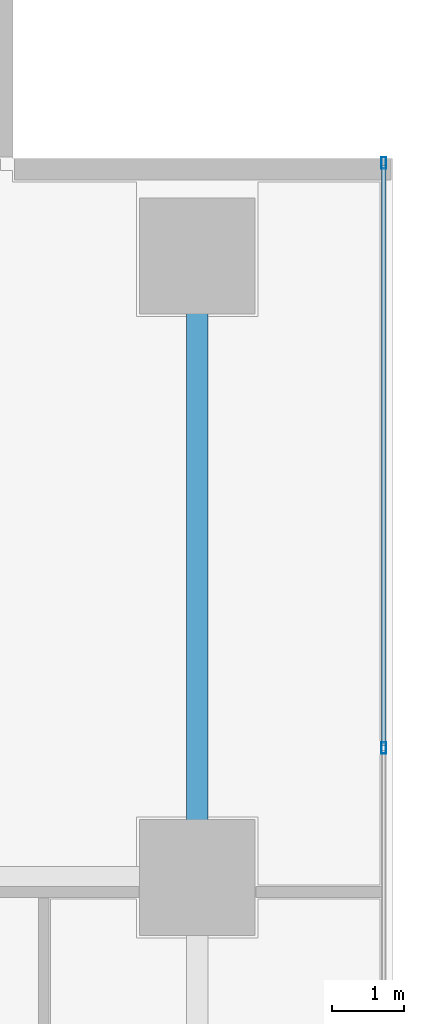
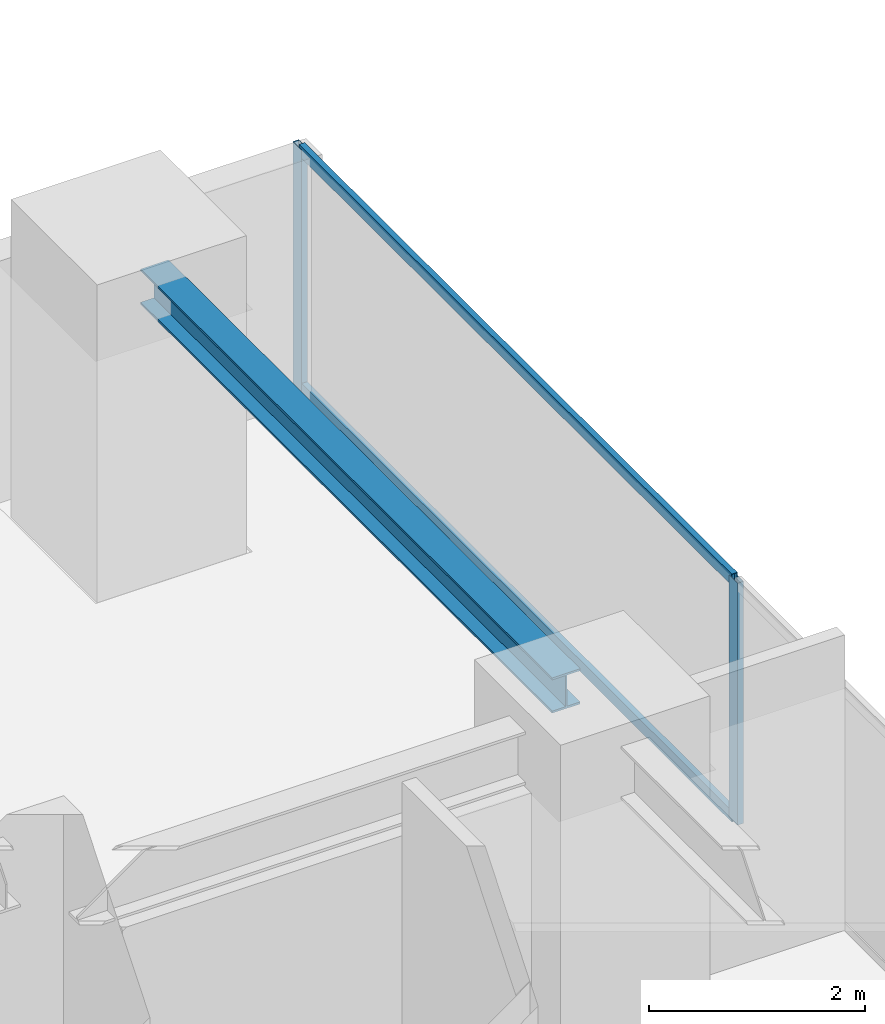
# One storey, part 24 of 36: 4 members, 1 beam, 1 element without a shape of its own.
"""IFC4 building model written with IfcOpenShell, lengths in metres."""

import ifcopenshell
import ifcopenshell.guid

model = None  # the IFC model being written
_history = None  # IfcOwnerHistory: only IFC2X3 demands one
_inside = {}  # id of a spatial element -> (the spatial element, [elements in it])
_under = {}  # id of a project, library or spatial element -> (it, [spatial elements below it])
_declared = {}  # id of a project -> (the project, [libraries it declares])
_typed = {}  # id of a type object -> (the type object, [elements of that type])
_made_of = {}  # id of a material, layer set ... -> (it, [elements and type objects made of it])


def new_model(schema):
    """Start an empty IFC model of exactly this schema.

    Asked for "IFC4X3", IfcOpenShell would pick the latest addendum, in which some entities
    have other attributes; the version numbers below select the first issue.
    IFC2X3 requires an IfcOwnerHistory on every rooted entity: one is made here for all.
    """
    global model, _history
    if schema == "IFC4X3":
        model = ifcopenshell.file(schema_version=(4, 3, 0, 0))
    else:
        model = ifcopenshell.file(schema=schema)
    _inside.clear()
    _under.clear()
    _declared.clear()
    _typed.clear()
    _made_of.clear()
    _history = None
    if model.schema == "IFC2X3":
        org = make("IfcOrganization", Name="unknown")
        user = make(
            "IfcPersonAndOrganization",
            ThePerson=make("IfcPerson", FamilyName="unknown"),
            TheOrganization=org,
        )
        app = make(
            "IfcApplication",
            ApplicationDeveloper=org,
            Version="unknown",
            ApplicationFullName="unknown",
            ApplicationIdentifier="unknown",
        )
        _history = make(
            "IfcOwnerHistory",
            OwningUser=user,
            OwningApplication=app,
            ChangeAction="ADDED",
            CreationDate=0,
        )
    return model


def make(cls, **values):
    """One entity of the class cls with the attributes given. An attribute that is None is left unset."""
    return model.create_entity(
        cls, **{name: value for name, value in values.items() if value is not None}
    )


def rooted(cls, **values):
    """An entity with a GlobalId (a new one), such as an element, a storey or a relation."""
    return make(cls, GlobalId=ifcopenshell.guid.new(), OwnerHistory=_history, **values)


def si_unit(unit_type, name, prefix=None):
    """IfcSIUnit, for example si_unit("LENGTHUNIT", "METRE", prefix="MILLI")."""
    return make("IfcSIUnit", UnitType=unit_type, Prefix=prefix, Name=name)


def assignment(units):
    """IfcUnitAssignment: the units of a project."""
    return None if units is None else make("IfcUnitAssignment", Units=units)


def point(xyz):
    """IfcCartesianPoint."""
    return None if xyz is None else make("IfcCartesianPoint", Coordinates=xyz)


def direction(xyz):
    """IfcDirection."""
    return None if xyz is None else make("IfcDirection", DirectionRatios=xyz)


def frame(location, z_axis=None, x_axis=None):
    """IfcAxis2Placement3D, a coordinate frame: its origin and axes. An axis left out is left unset."""
    return make(
        "IfcAxis2Placement3D",
        Location=point(location),
        Axis=direction(z_axis),
        RefDirection=direction(x_axis),
    )


def frame_2d(location, x_axis=None):
    """IfcAxis2Placement2D, a coordinate frame in the plane: its origin and x axis."""
    return make(
        "IfcAxis2Placement2D", Location=point(location), RefDirection=direction(x_axis)
    )


def origin():
    """The frame at (0, 0, 0) with its axes left unset."""
    return frame((0.0, 0.0, 0.0))


def origin_2d():
    """The frame at (0, 0) in the plane with its x axis left unset."""
    return frame_2d((0.0, 0.0))


def place(relative_to, where):
    """IfcLocalPlacement: puts the frame where relative to a parent placement (None: the world)."""
    return make(
        "IfcLocalPlacement", PlacementRelTo=relative_to, RelativePlacement=where
    )


def context(
    kind, dimensions, precision=None, world=None, true_north=None, identifier=None
):
    """IfcGeometricRepresentationContext, for example the 3D "Model" context."""
    return make(
        "IfcGeometricRepresentationContext",
        ContextIdentifier=identifier,
        ContextType=kind,
        CoordinateSpaceDimension=dimensions,
        Precision=precision,
        WorldCoordinateSystem=world,
        TrueNorth=true_north,
    )


def subcontext(parent, identifier, kind, view, scale=None):
    """IfcGeometricRepresentationSubContext, for example "Body" below "Model"."""
    return make(
        "IfcGeometricRepresentationSubContext",
        ContextIdentifier=identifier,
        ContextType=kind,
        ParentContext=parent,
        TargetScale=scale,
        TargetView=view,
    )


def project(units=None, contexts=None):
    """IfcProject with its units and contexts."""
    return rooted(
        "IfcProject",
        Name="project",
        RepresentationContexts=contexts,
        UnitsInContext=assignment(units),
    )


def spatial(cls, under=None, at=None, **own):
    """A site, building, storey or space (cls), placed at a placement, below another one or the project."""
    s = rooted(cls, ObjectPlacement=at, **own)
    if under is not None:
        _under.setdefault(under.id(), (under, []))[1].append(s)
    return s


def profile(cls, at=None, kind="AREA", **sizes):
    """A parametric profile (cls). Its sizes go by their IFC names, for example OverallWidth=200.0."""
    return make(cls, ProfileType=kind, Position=at, **sizes)


def hollow_rectangle(**sizes):
    """IfcRectangleHollowProfileDef."""
    return profile("IfcRectangleHollowProfileDef", **sizes)


def i_section(**sizes):
    """IfcIShapeProfileDef."""
    return profile("IfcIShapeProfileDef", **sizes)


def extrude(swept, where, along, depth):
    """IfcExtrudedAreaSolid: the profile swept, set in the frame where, extruded along a direction by depth."""
    return make(
        "IfcExtrudedAreaSolid",
        SweptArea=swept,
        Position=where,
        ExtrudedDirection=direction(along),
        Depth=depth,
    )


def shape(context_of_items, identifier, shape_type, items):
    """IfcShapeRepresentation: the items that make up one representation, for example the "Body"."""
    return make(
        "IfcShapeRepresentation",
        ContextOfItems=context_of_items,
        RepresentationIdentifier=identifier,
        RepresentationType=shape_type,
        Items=items,
    )


def source(mapping_origin, context_of_items, identifier, shape_type, items):
    """IfcRepresentationMap: a shape defined once, which mapped items show again and again."""
    return make(
        "IfcRepresentationMap",
        MappingOrigin=mapping_origin,
        MappedRepresentation=shape(context_of_items, identifier, shape_type, items),
    )


def transform(
    local_origin,
    x_axis=None,
    y_axis=None,
    z_axis=None,
    scale=None,
    scale2=None,
    scale3=None,
    uniform=True,
):
    """IfcCartesianTransformationOperator3D, or its non-uniform kind. x_axis, y_axis, z_axis: its Axis1, 2, 3."""
    if uniform:
        return make(
            "IfcCartesianTransformationOperator3D",
            Axis1=direction(x_axis),
            Axis2=direction(y_axis),
            LocalOrigin=point(local_origin),
            Scale=scale,
            Axis3=direction(z_axis),
        )
    return make(
        "IfcCartesianTransformationOperator3DnonUniform",
        Axis1=direction(x_axis),
        Axis2=direction(y_axis),
        LocalOrigin=point(local_origin),
        Scale=scale,
        Axis3=direction(z_axis),
        Scale2=scale2,
        Scale3=scale3,
    )


def mapped(mapping_source, mapping_target):
    """IfcMappedItem: shows the shape of a source again, moved by a transform."""
    return make(
        "IfcMappedItem", MappingSource=mapping_source, MappingTarget=mapping_target
    )


def material(Name=None, Category=None):
    """IfcMaterial."""
    return make("IfcMaterial", Name=Name, Category=Category)


def layer(
    of_material, thickness, ventilated=None, Name=None, Category=None, Priority=None
):
    """IfcMaterialLayer: one layer of a wall or slab, of a material (None: an air gap)."""
    return make(
        "IfcMaterialLayer",
        Material=of_material,
        LayerThickness=thickness,
        IsVentilated=ventilated,
        Name=Name,
        Category=Category,
        Priority=Priority,
    )


def layer_set(layers, Name=None):
    """IfcMaterialLayerSet."""
    return make("IfcMaterialLayerSet", MaterialLayers=layers, LayerSetName=Name)


def material_profile(
    of_material, cross_section, Name=None, Category=None, Priority=None
):
    """IfcMaterialProfile: a cross section and its material."""
    return make(
        "IfcMaterialProfile",
        Name=Name,
        Material=of_material,
        Profile=cross_section,
        Priority=Priority,
        Category=Category,
    )


def profile_set(profiles, Name=None, composite=None):
    """IfcMaterialProfileSet."""
    return make(
        "IfcMaterialProfileSet",
        Name=Name,
        MaterialProfiles=profiles,
        CompositeProfile=composite,
    )


def made_of(thing, what):
    """Note that an element or type object is made of a material, layer set ...; save() writes the relation."""
    if what is not None:
        _made_of.setdefault(what.id(), (what, []))[1].append(thing)
    return thing


def type_object(cls, material=None, **own):
    """A type object (cls), such as IfcWallType, which elements share."""
    return made_of(rooted(cls, **own), material)


def element(
    cls,
    number,
    at=None,
    inside=None,
    cuts=None,
    type_object=None,
    material=None,
    context=None,
    identifier="Body",
    shape_type=None,
    held_by="IfcProductDefinitionShape",
    body=None,
    shapes=None,
    **own,
):
    """One element of the class cls, such as IfcWall. Its Tag is "e" and its number.

    at: its placement. inside: the storey or other place that contains it. cuts: it is an
    opening in that element (IfcRelVoidsElement). A single representation is given by context,
    identifier, shape_type and body (its items); several are given by shapes. held_by: the class
    of the entity that holds the representations. save() writes the other relations.
    """
    e = rooted(cls, Tag="e%d" % number, ObjectPlacement=at, **own)
    if body is not None:
        shapes = [shape(context, identifier, shape_type, body)]
    if shapes is not None:
        e.Representation = make(held_by, Representations=shapes)
    if inside is not None:
        _inside.setdefault(inside.id(), (inside, []))[1].append(e)
    if cuts is not None:
        rooted(
            "IfcRelVoidsElement", RelatingBuildingElement=cuts, RelatedOpeningElement=e
        )
    if type_object is not None:
        _typed.setdefault(type_object.id(), (type_object, []))[1].append(e)
    return made_of(e, material)


def aggregate(whole, parts):
    """IfcRelAggregates: a whole, such as a stair, and the parts it consists of."""
    return rooted("IfcRelAggregates", RelatingObject=whole, RelatedObjects=parts)


def save(model, path):
    """Write the relations noted so far, then the file.

    IfcRelAggregates (storeys below a building ...), IfcRelContainedInSpatialStructure (elements
    in a storey), IfcRelDefinesByType, IfcRelAssociatesMaterial and IfcRelDeclares: one each for
    every whole, place, type object, material and project.
    """
    for whole, parts in _under.values():
        aggregate(whole, parts)
    for where, things in _inside.values():
        rooted(
            "IfcRelContainedInSpatialStructure",
            RelatedElements=things,
            RelatingStructure=where,
        )
    for kind, things in _typed.values():
        rooted("IfcRelDefinesByType", RelatedObjects=things, RelatingType=kind)
    for what, things in _made_of.values():
        rooted("IfcRelAssociatesMaterial", RelatedObjects=things, RelatingMaterial=what)
    for by, libraries in _declared.values():
        rooted("IfcRelDeclares", RelatingContext=by, RelatedDefinitions=libraries)
    model.write(path)


model = new_model("IFC4")

# Units and contexts
model_context = context("Model", 3, precision=1e-05, world=origin(), true_north=direction((0.0, 1.0)))
body_context = subcontext(model_context, "Body", "Model", "MODEL_VIEW")
ifc_project = project(units=[si_unit("LENGTHUNIT", "METRE"), si_unit("AREAUNIT", "SQUARE_METRE"), si_unit("VOLUMEUNIT", "CUBIC_METRE"), si_unit("PLANEANGLEUNIT", "RADIAN"), si_unit("MASSUNIT", "GRAM", prefix="KILO")], contexts=[model_context])

# Site, building, storey
site_placement = place(None, origin())
site = spatial("IfcSite", under=ifc_project, at=site_placement, CompositionType="ELEMENT")
building_placement = place(site_placement, origin())
building = spatial("IfcBuilding", under=site, at=building_placement, Name="Sumidabori Civic Tower", CompositionType="ELEMENT")
storey_placement = place(building_placement, frame((0.0, 0.0, 92.0)))
storey = spatial("IfcBuildingStorey", under=building, at=storey_placement, Name="L23", CompositionType="ELEMENT", Elevation=92.0)

# Beam
ifc_material_1 = material(Name="Steel SN490", Category="steel")
ifc_material_profile_1 = material_profile(ifc_material_1, i_section(OverallWidth=0.300048828125, OverallDepth=0.39990234375, WebThickness=0.013427734375, FlangeThickness=0.02392578125, at=origin_2d()), Name="HE 400 B")
ifc_profile_set_1 = profile_set([ifc_material_profile_1], Name="Steel SN490")
beam_type = type_object("IfcBeamType", Name="BM-GIRD-400", PredefinedType="BEAM", material=ifc_profile_set_1)
shared_shape_1 = source(origin(), body_context, "Body", "SweptSolid", [
    extrude(i_section(OverallWidth=0.300048828125, OverallDepth=0.39990234375, WebThickness=0.013427734375, FlangeThickness=0.02392578125, at=origin_2d()), origin(), (0.0, 0.0, 1.0), 7.64013671875),
])
beam_placement = place(storey_placement, frame((22.800048828125, 10.679931640625, 3.159912109375), z_axis=(0.0, 1.0, 0.0), x_axis=(-1.0, 0.0, 0.0)))
element("IfcBeam", 1, at=beam_placement, inside=storey, type_object=beam_type, Name="Primary Girder L23 GY-42", PredefinedType="BEAM", context=body_context, shape_type="MappedRepresentation", body=[
    mapped(shared_shape_1, transform((0.0, 0.0, 0.0), x_axis=(1.0, 0.0, 0.0), y_axis=(0.0, 1.0, 0.0), z_axis=(0.0, 0.0, 1.0), scale=1.0)),
])

# Curtain wall, members
ifc_material_2 = material(Name="Anodised Bronze Aluminium AW-6063-T6", Category="aluminium")
ifc_layer = layer(ifc_material_2, 0.179931640625, Name="Anodised Bronze Aluminium AW-6063-T6")
ifc_layer_set = layer_set([ifc_layer], Name="Anodised Bronze Aluminium AW-6063-T6")
curtain_wall_type = type_object("IfcCurtainWallType", Name="CW-SYS-3", PredefinedType="NOTDEFINED", material=ifc_layer_set)
curtain_wall_placement = place(storey_placement, origin())
curtain_wall = element("IfcCurtainWall", 2, at=curtain_wall_placement, inside=storey, type_object=curtain_wall_type, Name="Curtain Wall CW:L23:R04", PredefinedType="NOTDEFINED")
ifc_material_profile_2 = material_profile(ifc_material_2, hollow_rectangle(XDim=0.06494140625, YDim=0.159912109375, WallThickness=0.0048828125, at=origin_2d()), Name="ALU MULLION 160x65")
ifc_profile_set_2 = profile_set([ifc_material_profile_2], Name="Anodised Bronze Aluminium AW-6063-T6")
member_type_1 = type_object("IfcMemberType", Name="CW-MUL-160", PredefinedType="MULLION", material=ifc_profile_set_2)
shared_shape_2 = source(origin(), body_context, "Body", "SweptSolid", [
    extrude(hollow_rectangle(XDim=0.06494140625, YDim=0.159912109375, WallThickness=0.0048828125, at=origin_2d()), origin(), (0.0, 0.0, 1.0), 2.739990234375),
])
member_1_placement = place(storey_placement, frame((25.3798828125, 11.991943359375, 0.0), z_axis=(0.0, 0.0, 1.0), x_axis=(-1.0, 0.0, 0.0)))
member_1 = element("IfcMember", 3, at=member_1_placement, type_object=member_type_1, Name="CW-3 mullion 5", PredefinedType="MULLION", context=body_context, shape_type="MappedRepresentation", body=[
    mapped(shared_shape_2, transform((0.0, 0.0, 0.0), x_axis=(1.0, 0.0, 0.0), y_axis=(0.0, 1.0, 0.0), z_axis=(0.0, 0.0, 1.0), scale=1.0)),
])
member_2_placement = place(storey_placement, frame((25.3798828125, 20.08740234375, 0.0), z_axis=(0.0, 0.0, 1.0), x_axis=(-1.0, 0.0, 0.0)))
member_2 = element("IfcMember", 4, at=member_2_placement, type_object=member_type_1, Name="CW-3 mullion 6", PredefinedType="MULLION", context=body_context, shape_type="MappedRepresentation", body=[
    mapped(shared_shape_2, transform((0.0, 0.0, 0.0), x_axis=(1.0, 0.0, 0.0), y_axis=(0.0, 1.0, 0.0), z_axis=(0.0, 0.0, 1.0), scale=1.0)),
])
ifc_material_profile_3 = material_profile(ifc_material_2, hollow_rectangle(XDim=0.06005859375, YDim=0.1298828125, WallThickness=0.0048828125, at=origin_2d()), Name="ALU TRANSOM 130x60")
ifc_profile_set_3 = profile_set([ifc_material_profile_3], Name="Anodised Bronze Aluminium AW-6063-T6")
member_type_2 = type_object("IfcMemberType", Name="CW-TRN-130", PredefinedType="USERDEFINED", material=ifc_profile_set_3)
shared_shape_3 = source(origin(), body_context, "Body", "SweptSolid", [
    extrude(hollow_rectangle(XDim=0.06005859375, YDim=0.1298828125, WallThickness=0.0048828125, at=origin_2d()), origin(), (0.0, 0.0, 1.0), 8.030517578125),
])
member_3_placement = place(storey_placement, frame((25.3798828125, 12.0244140625, 0.030029296875), z_axis=(0.0, 1.0, 0.0), x_axis=(-1.0, 0.0, 0.0)))
member_3 = element("IfcMember", 5, at=member_3_placement, type_object=member_type_2, Name="CW-3 transom 5.1", ObjectType="TRANSOM", PredefinedType="USERDEFINED", context=body_context, shape_type="MappedRepresentation", body=[
    mapped(shared_shape_3, transform((0.0, 0.0, 0.0), x_axis=(1.0, 0.0, 0.0), y_axis=(0.0, 1.0, 0.0), z_axis=(0.0, 0.0, 1.0), scale=1.0)),
])
member_4_placement = place(storey_placement, frame((25.3798828125, 12.0244140625, 2.7099609375), z_axis=(0.0, 1.0, 0.0), x_axis=(-1.0, 0.0, 0.0)))
member_4 = element("IfcMember", 6, at=member_4_placement, type_object=member_type_2, Name="CW-3 transom 5.2", ObjectType="TRANSOM", PredefinedType="USERDEFINED", context=body_context, shape_type="MappedRepresentation", body=[
    mapped(shared_shape_3, transform((0.0, 0.0, 0.0), x_axis=(1.0, 0.0, 0.0), y_axis=(0.0, 1.0, 0.0), z_axis=(0.0, 0.0, 1.0), scale=1.0)),
])
aggregate(curtain_wall, [member_1, member_2, member_3, member_4])

save(model, "model.ifc")
